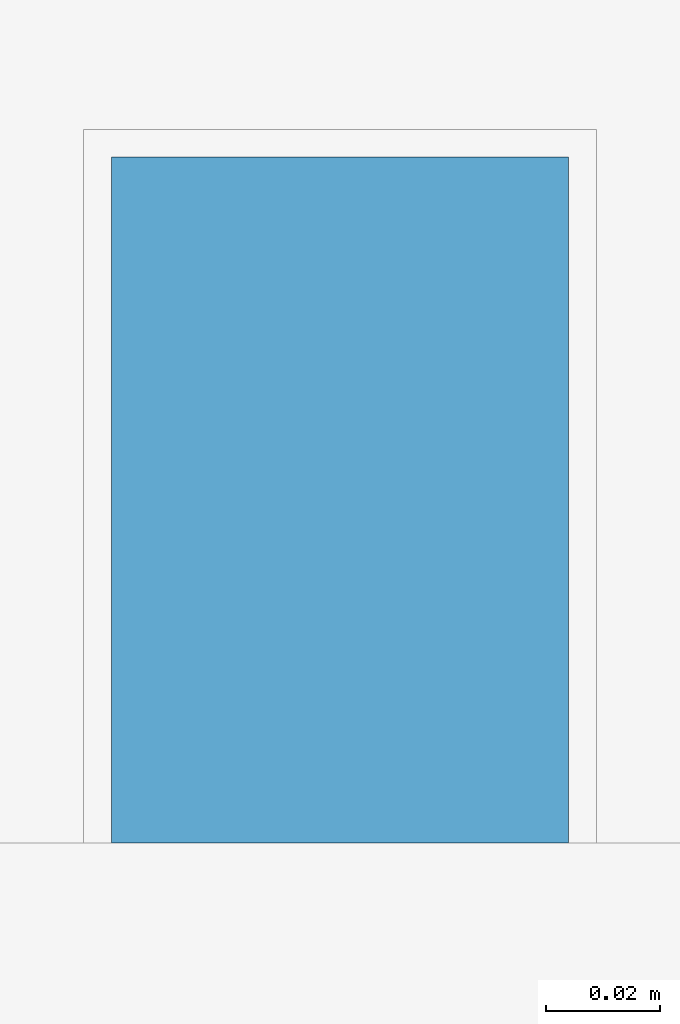
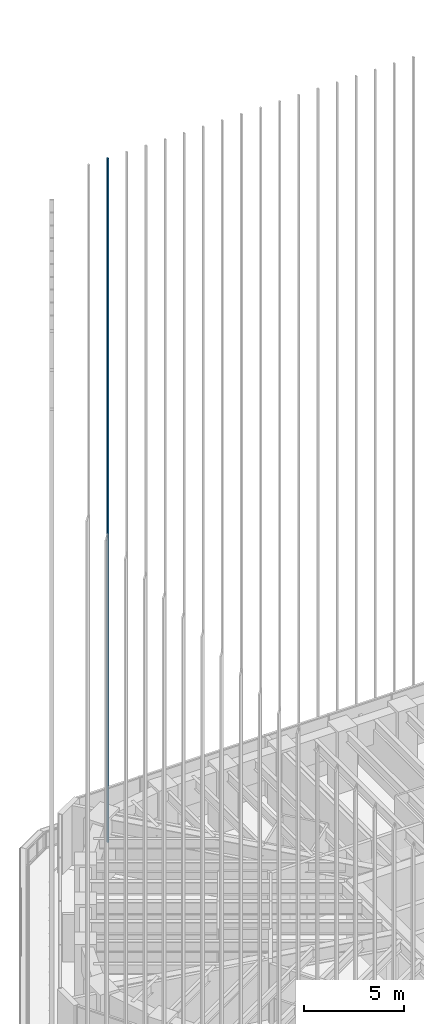
# One storey, part 66 of 127: 1 member, 1 element without a shape of its own.
"""IFC4 building model written with IfcOpenShell, lengths in metres."""

from ifc_helpers import new_model, si_unit, direction, frame, origin, origin_2d, place, context, subcontext, project, spatial, rectangle, extrude, material, material_profile, profile_set, type_object, element, aggregate, save


model = new_model("IFC4")

# Units and contexts
model_context = context("Model", 3, precision=1e-05, world=origin(), true_north=direction((0.0, 1.0)))
body_context = subcontext(model_context, "Body", "Model", "MODEL_VIEW")
ifc_project = project(units=[si_unit("LENGTHUNIT", "METRE"), si_unit("AREAUNIT", "SQUARE_METRE"), si_unit("VOLUMEUNIT", "CUBIC_METRE"), si_unit("PLANEANGLEUNIT", "RADIAN"), si_unit("MASSUNIT", "GRAM", prefix="KILO")], contexts=[model_context])

# Site, building, storey
site_placement = place(None, origin())
site = spatial("IfcSite", under=ifc_project, at=site_placement, CompositionType="ELEMENT")
building_placement = place(site_placement, origin())
building = spatial("IfcBuilding", under=site, at=building_placement, Name="Sandreach Pilgrim Tower", CompositionType="ELEMENT")
storey_placement = place(building_placement, frame((0.0, 0.0, 257.0)))
storey = spatial("IfcBuildingStorey", under=building, at=storey_placement, Name="L64", CompositionType="ELEMENT", Elevation=257.0)

# Curtain wall, member
ifc_material_1 = material(Name="Aluminium framed curtain wall", Category="aluminium")
curtain_wall_type = type_object("IfcCurtainWallType", Name="Suite tower curtain wall", PredefinedType="NOTDEFINED", material=ifc_material_1)
curtain_wall_placement = place(storey_placement, origin())
curtain_wall = element("IfcCurtainWall", 1, at=curtain_wall_placement, inside=storey, type_object=curtain_wall_type, Name="CW-4 L64 N", PredefinedType="NOTDEFINED")
ifc_material_2 = material(Name="Extruded terracotta on aluminium core", Category="masonry")
ifc_material_profile = material_profile(ifc_material_2, rectangle(XDim=0.080078125, YDim=0.1201171875, at=origin_2d()), Name="TBN 80X120")
ifc_profile_set = profile_set([ifc_material_profile], Name="Extruded terracotta on aluminium core")
member_type = type_object("IfcMemberType", Name="Terracotta baguette north", PredefinedType="USERDEFINED", material=ifc_profile_set)
member_placement = place(storey_placement, frame((-14.305419921875, 20.1865234375, 0.0), z_axis=(0.0, 0.0, 1.0), x_axis=(1.0, 0.0, 0.0)))
member = element("IfcMember", 2, at=member_placement, type_object=member_type, Name="Baguette Z4 N02", ObjectType="BAGUETTE", PredefinedType="USERDEFINED", context=body_context, shape_type="SweptSolid", body=[
    extrude(rectangle(XDim=0.080078125, YDim=0.1201171875, at=origin_2d()), origin(), (0.0, 0.0, 1.0), 41.639892578125),
])
aggregate(curtain_wall, [member])

save(model, "model.ifc")
